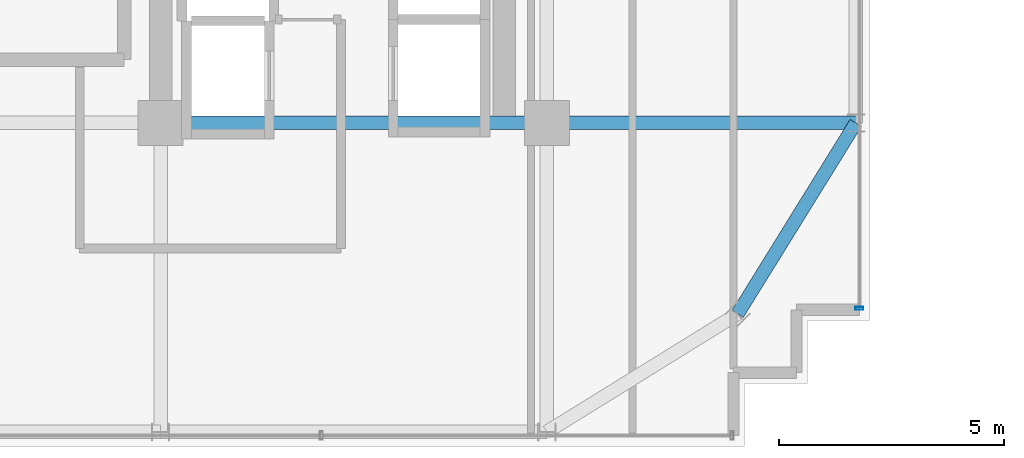
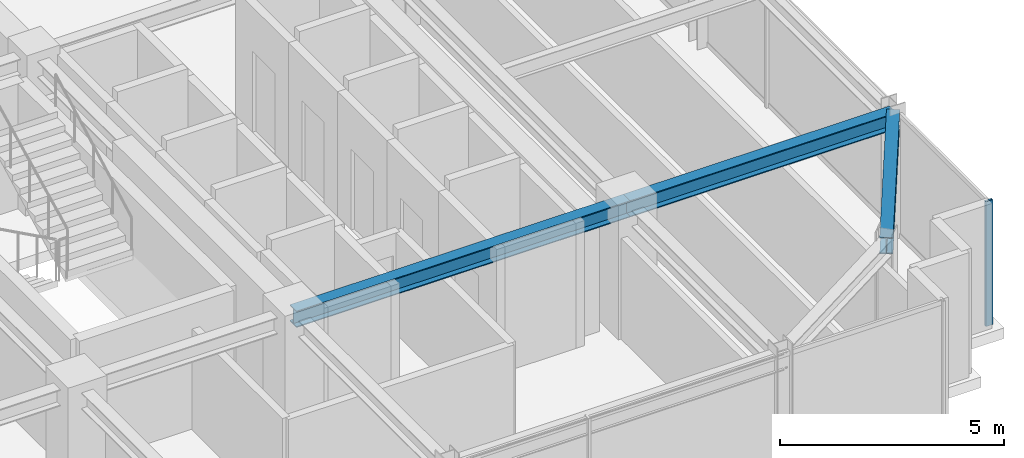
# One storey, part 13 of 34: 3 beams, 1 member, 1 element without a shape of its own.
"""IFC4 building model written with IfcOpenShell, lengths in metres."""

import ifcopenshell
import ifcopenshell.guid

model = None  # the IFC model being written
_history = None  # IfcOwnerHistory: only IFC2X3 demands one
_inside = {}  # id of a spatial element -> (the spatial element, [elements in it])
_under = {}  # id of a project, library or spatial element -> (it, [spatial elements below it])
_declared = {}  # id of a project -> (the project, [libraries it declares])
_typed = {}  # id of a type object -> (the type object, [elements of that type])
_made_of = {}  # id of a material, layer set ... -> (it, [elements and type objects made of it])


def new_model(schema):
    """Start an empty IFC model of exactly this schema.

    Asked for "IFC4X3", IfcOpenShell would pick the latest addendum, in which some entities
    have other attributes; the version numbers below select the first issue.
    IFC2X3 requires an IfcOwnerHistory on every rooted entity: one is made here for all.
    """
    global model, _history
    if schema == "IFC4X3":
        model = ifcopenshell.file(schema_version=(4, 3, 0, 0))
    else:
        model = ifcopenshell.file(schema=schema)
    _inside.clear()
    _under.clear()
    _declared.clear()
    _typed.clear()
    _made_of.clear()
    _history = None
    if model.schema == "IFC2X3":
        org = make("IfcOrganization", Name="unknown")
        user = make(
            "IfcPersonAndOrganization",
            ThePerson=make("IfcPerson", FamilyName="unknown"),
            TheOrganization=org,
        )
        app = make(
            "IfcApplication",
            ApplicationDeveloper=org,
            Version="unknown",
            ApplicationFullName="unknown",
            ApplicationIdentifier="unknown",
        )
        _history = make(
            "IfcOwnerHistory",
            OwningUser=user,
            OwningApplication=app,
            ChangeAction="ADDED",
            CreationDate=0,
        )
    return model


def make(cls, **values):
    """One entity of the class cls with the attributes given. An attribute that is None is left unset."""
    return model.create_entity(
        cls, **{name: value for name, value in values.items() if value is not None}
    )


def rooted(cls, **values):
    """An entity with a GlobalId (a new one), such as an element, a storey or a relation."""
    return make(cls, GlobalId=ifcopenshell.guid.new(), OwnerHistory=_history, **values)


def si_unit(unit_type, name, prefix=None):
    """IfcSIUnit, for example si_unit("LENGTHUNIT", "METRE", prefix="MILLI")."""
    return make("IfcSIUnit", UnitType=unit_type, Prefix=prefix, Name=name)


def assignment(units):
    """IfcUnitAssignment: the units of a project."""
    return None if units is None else make("IfcUnitAssignment", Units=units)


def point(xyz):
    """IfcCartesianPoint."""
    return None if xyz is None else make("IfcCartesianPoint", Coordinates=xyz)


def direction(xyz):
    """IfcDirection."""
    return None if xyz is None else make("IfcDirection", DirectionRatios=xyz)


def frame(location, z_axis=None, x_axis=None):
    """IfcAxis2Placement3D, a coordinate frame: its origin and axes. An axis left out is left unset."""
    return make(
        "IfcAxis2Placement3D",
        Location=point(location),
        Axis=direction(z_axis),
        RefDirection=direction(x_axis),
    )


def frame_2d(location, x_axis=None):
    """IfcAxis2Placement2D, a coordinate frame in the plane: its origin and x axis."""
    return make(
        "IfcAxis2Placement2D", Location=point(location), RefDirection=direction(x_axis)
    )


def origin():
    """The frame at (0, 0, 0) with its axes left unset."""
    return frame((0.0, 0.0, 0.0))


def origin_2d():
    """The frame at (0, 0) in the plane with its x axis left unset."""
    return frame_2d((0.0, 0.0))


def place(relative_to, where):
    """IfcLocalPlacement: puts the frame where relative to a parent placement (None: the world)."""
    return make(
        "IfcLocalPlacement", PlacementRelTo=relative_to, RelativePlacement=where
    )


def context(
    kind, dimensions, precision=None, world=None, true_north=None, identifier=None
):
    """IfcGeometricRepresentationContext, for example the 3D "Model" context."""
    return make(
        "IfcGeometricRepresentationContext",
        ContextIdentifier=identifier,
        ContextType=kind,
        CoordinateSpaceDimension=dimensions,
        Precision=precision,
        WorldCoordinateSystem=world,
        TrueNorth=true_north,
    )


def subcontext(parent, identifier, kind, view, scale=None):
    """IfcGeometricRepresentationSubContext, for example "Body" below "Model"."""
    return make(
        "IfcGeometricRepresentationSubContext",
        ContextIdentifier=identifier,
        ContextType=kind,
        ParentContext=parent,
        TargetScale=scale,
        TargetView=view,
    )


def project(units=None, contexts=None):
    """IfcProject with its units and contexts."""
    return rooted(
        "IfcProject",
        Name="project",
        RepresentationContexts=contexts,
        UnitsInContext=assignment(units),
    )


def spatial(cls, under=None, at=None, **own):
    """A site, building, storey or space (cls), placed at a placement, below another one or the project."""
    s = rooted(cls, ObjectPlacement=at, **own)
    if under is not None:
        _under.setdefault(under.id(), (under, []))[1].append(s)
    return s


def profile(cls, at=None, kind="AREA", **sizes):
    """A parametric profile (cls). Its sizes go by their IFC names, for example OverallWidth=200.0."""
    return make(cls, ProfileType=kind, Position=at, **sizes)


def hollow_rectangle(**sizes):
    """IfcRectangleHollowProfileDef."""
    return profile("IfcRectangleHollowProfileDef", **sizes)


def i_section(**sizes):
    """IfcIShapeProfileDef."""
    return profile("IfcIShapeProfileDef", **sizes)


def extrude(swept, where, along, depth):
    """IfcExtrudedAreaSolid: the profile swept, set in the frame where, extruded along a direction by depth."""
    return make(
        "IfcExtrudedAreaSolid",
        SweptArea=swept,
        Position=where,
        ExtrudedDirection=direction(along),
        Depth=depth,
    )


def shape(context_of_items, identifier, shape_type, items):
    """IfcShapeRepresentation: the items that make up one representation, for example the "Body"."""
    return make(
        "IfcShapeRepresentation",
        ContextOfItems=context_of_items,
        RepresentationIdentifier=identifier,
        RepresentationType=shape_type,
        Items=items,
    )


def source(mapping_origin, context_of_items, identifier, shape_type, items):
    """IfcRepresentationMap: a shape defined once, which mapped items show again and again."""
    return make(
        "IfcRepresentationMap",
        MappingOrigin=mapping_origin,
        MappedRepresentation=shape(context_of_items, identifier, shape_type, items),
    )


def transform(
    local_origin,
    x_axis=None,
    y_axis=None,
    z_axis=None,
    scale=None,
    scale2=None,
    scale3=None,
    uniform=True,
):
    """IfcCartesianTransformationOperator3D, or its non-uniform kind. x_axis, y_axis, z_axis: its Axis1, 2, 3."""
    if uniform:
        return make(
            "IfcCartesianTransformationOperator3D",
            Axis1=direction(x_axis),
            Axis2=direction(y_axis),
            LocalOrigin=point(local_origin),
            Scale=scale,
            Axis3=direction(z_axis),
        )
    return make(
        "IfcCartesianTransformationOperator3DnonUniform",
        Axis1=direction(x_axis),
        Axis2=direction(y_axis),
        LocalOrigin=point(local_origin),
        Scale=scale,
        Axis3=direction(z_axis),
        Scale2=scale2,
        Scale3=scale3,
    )


def mapped(mapping_source, mapping_target):
    """IfcMappedItem: shows the shape of a source again, moved by a transform."""
    return make(
        "IfcMappedItem", MappingSource=mapping_source, MappingTarget=mapping_target
    )


def material(Name=None, Category=None):
    """IfcMaterial."""
    return make("IfcMaterial", Name=Name, Category=Category)


def material_profile(
    of_material, cross_section, Name=None, Category=None, Priority=None
):
    """IfcMaterialProfile: a cross section and its material."""
    return make(
        "IfcMaterialProfile",
        Name=Name,
        Material=of_material,
        Profile=cross_section,
        Priority=Priority,
        Category=Category,
    )


def profile_set(profiles, Name=None, composite=None):
    """IfcMaterialProfileSet."""
    return make(
        "IfcMaterialProfileSet",
        Name=Name,
        MaterialProfiles=profiles,
        CompositeProfile=composite,
    )


def made_of(thing, what):
    """Note that an element or type object is made of a material, layer set ...; save() writes the relation."""
    if what is not None:
        _made_of.setdefault(what.id(), (what, []))[1].append(thing)
    return thing


def type_object(cls, material=None, **own):
    """A type object (cls), such as IfcWallType, which elements share."""
    return made_of(rooted(cls, **own), material)


def element(
    cls,
    number,
    at=None,
    inside=None,
    cuts=None,
    type_object=None,
    material=None,
    context=None,
    identifier="Body",
    shape_type=None,
    held_by="IfcProductDefinitionShape",
    body=None,
    shapes=None,
    **own,
):
    """One element of the class cls, such as IfcWall. Its Tag is "e" and its number.

    at: its placement. inside: the storey or other place that contains it. cuts: it is an
    opening in that element (IfcRelVoidsElement). A single representation is given by context,
    identifier, shape_type and body (its items); several are given by shapes. held_by: the class
    of the entity that holds the representations. save() writes the other relations.
    """
    e = rooted(cls, Tag="e%d" % number, ObjectPlacement=at, **own)
    if body is not None:
        shapes = [shape(context, identifier, shape_type, body)]
    if shapes is not None:
        e.Representation = make(held_by, Representations=shapes)
    if inside is not None:
        _inside.setdefault(inside.id(), (inside, []))[1].append(e)
    if cuts is not None:
        rooted(
            "IfcRelVoidsElement", RelatingBuildingElement=cuts, RelatedOpeningElement=e
        )
    if type_object is not None:
        _typed.setdefault(type_object.id(), (type_object, []))[1].append(e)
    return made_of(e, material)


def aggregate(whole, parts):
    """IfcRelAggregates: a whole, such as a stair, and the parts it consists of."""
    return rooted("IfcRelAggregates", RelatingObject=whole, RelatedObjects=parts)


def save(model, path):
    """Write the relations noted so far, then the file.

    IfcRelAggregates (storeys below a building ...), IfcRelContainedInSpatialStructure (elements
    in a storey), IfcRelDefinesByType, IfcRelAssociatesMaterial and IfcRelDeclares: one each for
    every whole, place, type object, material and project.
    """
    for whole, parts in _under.values():
        aggregate(whole, parts)
    for where, things in _inside.values():
        rooted(
            "IfcRelContainedInSpatialStructure",
            RelatedElements=things,
            RelatingStructure=where,
        )
    for kind, things in _typed.values():
        rooted("IfcRelDefinesByType", RelatedObjects=things, RelatingType=kind)
    for what, things in _made_of.values():
        rooted("IfcRelAssociatesMaterial", RelatedObjects=things, RelatingMaterial=what)
    for by, libraries in _declared.values():
        rooted("IfcRelDeclares", RelatingContext=by, RelatedDefinitions=libraries)
    model.write(path)


model = new_model("IFC4")

# Units and contexts
model_context = context("Model", 3, precision=1e-05, world=origin(), true_north=direction((0.0, 1.0)))
body_context = subcontext(model_context, "Body", "Model", "MODEL_VIEW")
ifc_project = project(units=[si_unit("LENGTHUNIT", "METRE"), si_unit("AREAUNIT", "SQUARE_METRE"), si_unit("VOLUMEUNIT", "CUBIC_METRE"), si_unit("PLANEANGLEUNIT", "RADIAN"), si_unit("MASSUNIT", "GRAM", prefix="KILO")], contexts=[model_context])

# Site, building, storey
site_placement = place(None, origin())
site = spatial("IfcSite", under=ifc_project, at=site_placement, CompositionType="ELEMENT")
building_placement = place(site_placement, origin())
building = spatial("IfcBuilding", under=site, at=building_placement, Name="Nahalor Promenade Grand Hotel", CompositionType="ELEMENT")
storey_placement = place(building_placement, frame((0.0, 0.0, 208.60009765625)))
storey = spatial("IfcBuildingStorey", under=building, at=storey_placement, Name="L53", CompositionType="ELEMENT", Elevation=208.60009765625)

# Beams
ifc_material_1 = material(Name="Steel S355JR", Category="steel")
ifc_material_profile_1 = material_profile(ifc_material_1, i_section(OverallWidth=0.3, OverallDepth=0.45, WebThickness=0.014, FlangeThickness=0.026, at=origin_2d()), Name="HEB 450")
ifc_profile_set_1 = profile_set([ifc_material_profile_1], Name="Steel S355JR")
beam_type_1 = type_object("IfcBeamType", Name="Beam-Spandrel-HEB450", PredefinedType="SPANDREL", material=ifc_profile_set_1)
shared_shape_1 = source(origin(), body_context, "Body", "SweptSolid", [
    extrude(i_section(OverallWidth=0.3, OverallDepth=0.45, WebThickness=0.014, FlangeThickness=0.026, at=origin_2d()), origin(), (0.0, 0.0, 1.0), 4.997802734375),
])
beam_1_placement = place(storey_placement, frame((21.25, -21.25, 3.184814453125), z_axis=(0.526199891161, 0.850360908404, 0.0), x_axis=(-0.850360908404, 0.526199891161, 0.0)))
element("IfcBeam", 1, at=beam_1_placement, inside=storey, type_object=beam_type_1, Name="BM-L53-SPC-SE-2", PredefinedType="SPANDREL", context=body_context, shape_type="MappedRepresentation", body=[
    mapped(shared_shape_1, transform((0.0, 0.0, 0.0), scale=1.0)),
])
ifc_material_profile_2 = material_profile(ifc_material_1, i_section(OverallWidth=0.3, OverallDepth=0.45, WebThickness=0.014, FlangeThickness=0.026, at=origin_2d()), Name="HEB 450")
ifc_profile_set_2 = profile_set([ifc_material_profile_2], Name="Steel S355JR")
beam_type_2 = type_object("IfcBeamType", Name="Beam-Girder-HEB450", PredefinedType="BEAM", material=ifc_profile_set_2)
shared_shape_2 = source(origin(), body_context, "Body", "SweptSolid", [
    extrude(i_section(OverallWidth=0.3, OverallDepth=0.45, WebThickness=0.014, FlangeThickness=0.026, at=origin_2d()), origin(), (0.0, 0.0, 1.0), 6.8798828125),
])
beam_2_placement = place(storey_placement, frame((17.0, -17.0, 3.184814453125), z_axis=(1.0, 0.0, 0.0), x_axis=(0.0, 1.0, 0.0)))
element("IfcBeam", 2, at=beam_2_placement, inside=storey, type_object=beam_type_2, Name="BM-L53-GX-0-6", PredefinedType="BEAM", context=body_context, shape_type="MappedRepresentation", body=[
    mapped(shared_shape_2, transform((0.0, 0.0, 0.0), scale=1.0)),
])
shared_shape_3 = source(origin(), body_context, "Body", "SweptSolid", [
    extrude(i_section(OverallWidth=0.3, OverallDepth=0.45, WebThickness=0.014, FlangeThickness=0.026, at=origin_2d()), origin(), (0.0, 0.0, 1.0), 8.60009765625),
])
beam_3_placement = place(storey_placement, frame((8.39990234375, -17.0, 3.184814453125), z_axis=(1.0, 0.0, 0.0), x_axis=(0.0, 1.0, 0.0)))
element("IfcBeam", 3, at=beam_3_placement, inside=storey, type_object=beam_type_2, Name="BM-L53-GX-0-5", PredefinedType="BEAM", context=body_context, shape_type="MappedRepresentation", body=[
    mapped(shared_shape_3, transform((0.0, 0.0, 0.0), scale=1.0)),
])

# Curtain wall, member
ifc_material_2 = material(Name="Anodised Bronze Aluminium EN AW-6063 T6", Category="aluminium")
curtain_wall_type = type_object("IfcCurtainWallType", Name="CW2 Typical Hotel Flush Bronze Unitised Curtain Wall", PredefinedType="USERDEFINED", material=ifc_material_2)
curtain_wall_placement = place(storey_placement, origin())
curtain_wall = element("IfcCurtainWall", 4, at=curtain_wall_placement, inside=storey, type_object=curtain_wall_type, Name="L53 Curtain Wall CW-L53-E-1", ObjectType="UNITISED_CURTAIN_WALL", PredefinedType="USERDEFINED")
ifc_material_profile_3 = material_profile(ifc_material_2, hollow_rectangle(XDim=0.065, YDim=0.18, WallThickness=0.004, at=origin_2d()), Name="CWM 65x180x4")
ifc_profile_set_3 = profile_set([ifc_material_profile_3], Name="Anodised Bronze Aluminium EN AW-6063 T6")
member_type = type_object("IfcMemberType", Name="CWM2 Typical Bronze Mullion 65x180", PredefinedType="MULLION", material=ifc_profile_set_3)
shared_shape_4 = source(origin(), body_context, "Body", "SweptSolid", [
    extrude(hollow_rectangle(XDim=0.065, YDim=0.18, WallThickness=0.004, at=origin_2d()), origin(), (0.0, 0.0, 1.0), 3.409912109375),
])
member_placement = place(storey_placement, frame((23.9599609375, -21.12744140625, 0.0), z_axis=(0.0, 0.0, 1.0), x_axis=(0.0, 1.0, 0.0)))
member = element("IfcMember", 5, at=member_placement, type_object=member_type, Name="CW-L53-E-1 Mullion 0", PredefinedType="MULLION", context=body_context, shape_type="MappedRepresentation", body=[
    mapped(shared_shape_4, transform((0.0, 0.0, 0.0), scale=1.0)),
])
aggregate(curtain_wall, [member])

save(model, "model.ifc")
